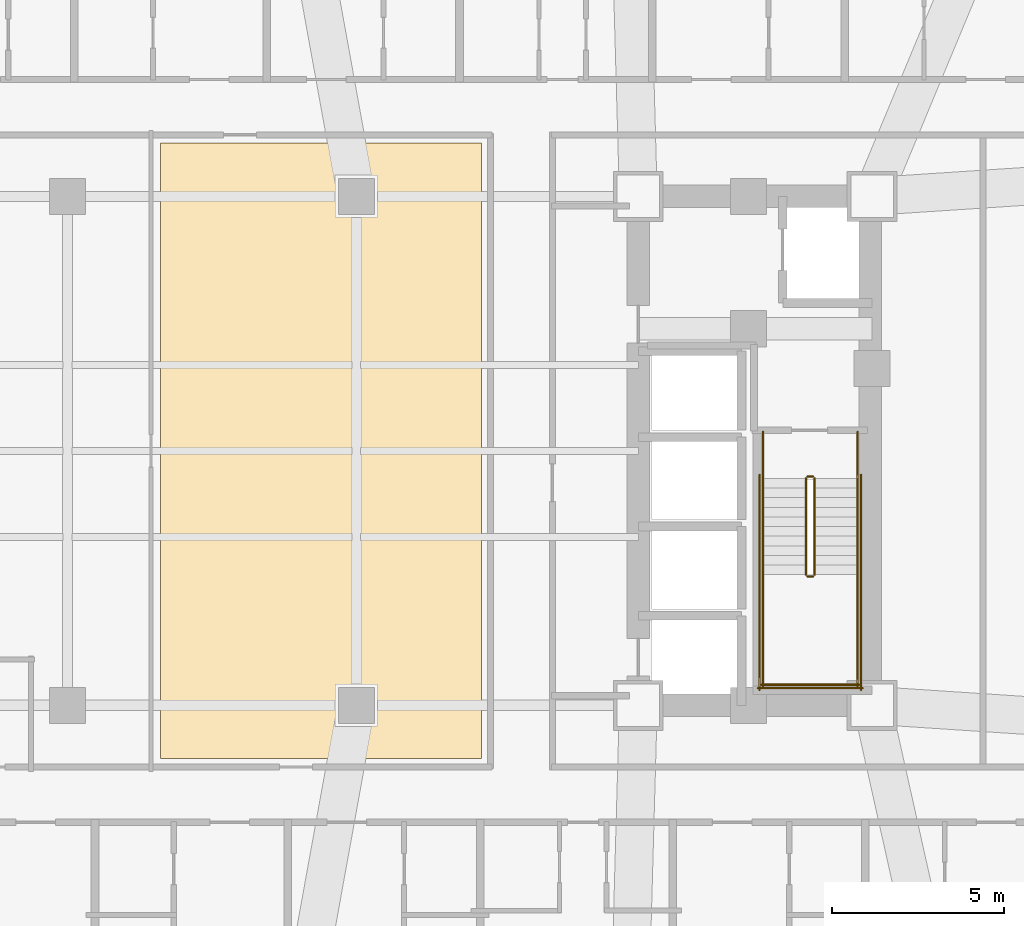
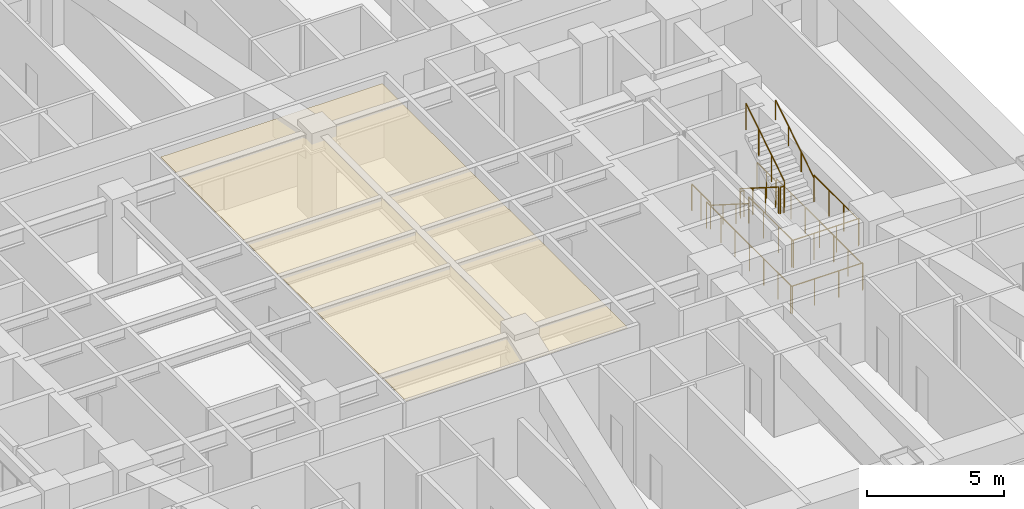
# One storey, part 12 of 12: 14 railings, 1 covering.
"""IFC4 building model written with IfcOpenShell, lengths in metres."""

from ifc_helpers import new_model, si_unit, direction, frame, origin, origin_2d, place, context, subcontext, project, spatial, polyline, circle, outline, extrude, material, layer, layer_set, type_object, element, save


model = new_model("IFC4")

# Units and contexts
model_context = context("Model", 3, precision=1e-05, world=origin(), true_north=direction((0.0, 1.0)))
body_context = subcontext(model_context, "Body", "Model", "MODEL_VIEW")
ifc_project = project(units=[si_unit("LENGTHUNIT", "METRE"), si_unit("AREAUNIT", "SQUARE_METRE"), si_unit("VOLUMEUNIT", "CUBIC_METRE"), si_unit("PLANEANGLEUNIT", "RADIAN"), si_unit("MASSUNIT", "GRAM", prefix="KILO")], contexts=[model_context])

# Site, building, storey
site_placement = place(None, origin())
site = spatial("IfcSite", under=ifc_project, at=site_placement, CompositionType="ELEMENT")
building_placement = place(site_placement, origin())
building = spatial("IfcBuilding", under=site, at=building_placement, Name="Voryun Gate Residences", CompositionType="ELEMENT")
storey_placement = place(building_placement, frame((0.0, 0.0, 29.89990234375)))
storey = spatial("IfcBuildingStorey", under=building, at=storey_placement, Name="L06", CompositionType="ELEMENT", Elevation=29.89990234375)

# Covering
ifc_material_1 = material(Name="Gypsum acoustic ceiling")
ifc_layer = layer(ifc_material_1, 0.02490234375, Name="COV_CEILING_ACOUSTIC")
ifc_layer_set = layer_set([ifc_layer], Name="Gypsum acoustic ceiling")
covering_type = type_object("IfcCoveringType", Name="COV_CEILING_ACOUSTIC", PredefinedType="CEILING", material=ifc_layer_set)
covering_placement = place(storey_placement, frame((0.0, 0.0, 3.400146484375)))
element("IfcCovering", 1, at=covering_placement, inside=storey, type_object=covering_type, Name="Acoustic ceiling CLG-L06-01", PredefinedType="CEILING", context=body_context, shape_type="SweptSolid", body=[
    extrude(outline(polyline([(-1.492919921875, 8.949951171875), (7.840087890625, 8.949951171875), (7.840087890625, -8.949951171875), (-1.492919921875, -8.949951171875), (-1.492919921875, 8.949951171875)])), origin(), (0.0, 0.0, 1.0), 0.02490234375),
])

# Railings
ifc_material_2 = material(Name="Painted steel", Category="steel")
railing_type_1 = type_object("IfcRailingType", Name="RAIL_STAIR_GUARD_1200", PredefinedType="GUARDRAIL", material=ifc_material_2)
railing_1_placement = place(storey_placement, frame((17.27490234375, -0.800048828125, 0.177490234375)))
element("IfcRailing", 2, at=railing_1_placement, inside=storey, type_object=railing_type_1, Name="L06 ST-E1 stair guard 1", PredefinedType="GUARDRAIL", context=body_context, shape_type="SweptSolid", body=[
    extrude(circle(Radius=0.02392578125, at=origin_2d()), frame((0.0, 0.0, 1.17578125), z_axis=(0.0, -0.844908973607, 0.534910110503), x_axis=(1.0, 0.0, 0.0)), (0.0, 0.0, 1.0), 3.31396484375),
    extrude(circle(Radius=0.02099609375, at=origin_2d()), origin(), (0.0, 0.0, 1.0), 1.15185546875),
    extrude(circle(Radius=0.02099609375, at=origin_2d()), frame((0.0, -0.933349609375, 0.5908203125)), (0.0, 0.0, 1.0), 1.15185546875),
    extrude(circle(Radius=0.02099609375, at=origin_2d()), frame((0.0, -1.86669921875, 1.181884765625)), (0.0, 0.0, 1.0), 1.15185546875),
    extrude(circle(Radius=0.02099609375, at=origin_2d()), frame((0.0, -2.800048828125, 1.772705078125)), (0.0, 0.0, 1.0), 1.15185546875),
])
railing_2_placement = place(storey_placement, frame((17.324951171875, -3.64990234375, 1.9501953125)))
element("IfcRailing", 3, at=railing_2_placement, inside=storey, type_object=railing_type_1, Name="L06 ST-E1 stair guard 2", PredefinedType="GUARDRAIL", context=body_context, shape_type="SweptSolid", body=[
    extrude(circle(Radius=0.02392578125, at=origin_2d()), frame((0.0, 0.0, 1.17578125), z_axis=(1.0, 0.0, 0.0), x_axis=(0.0, 1.0, 0.0)), (0.0, 0.0, 1.0), 0.150146484375),
    extrude(circle(Radius=0.02099609375, at=origin_2d()), origin(), (0.0, 0.0, 1.0), 1.15185546875),
    extrude(circle(Radius=0.02099609375, at=origin_2d()), frame((0.150146484375, 0.0, 0.0)), (0.0, 0.0, 1.0), 1.15185546875),
])
for number, where, name in (
    (4, (16.02490234375, -3.60009765625, 1.9501953125), "L06 ST-E1 stair guard 3"),
    (5, (18.77490234375, -3.60009765625, 1.9501953125), "L06 ST-E1 stair guard 4"),
):
    element("IfcRailing", number, at=place(storey_placement, frame(where)), inside=storey, type_object=railing_type_1, Name=name, PredefinedType="GUARDRAIL", context=body_context, shape_type="SweptSolid", body=[
        extrude(circle(Radius=0.02392578125, at=origin_2d()), frame((0.0, 0.0, 1.17578125), z_axis=(0.0, -1.0, 0.0), x_axis=(1.0, 0.0, 0.0)), (0.0, 0.0, 1.0), 3.25),
        extrude(circle(Radius=0.02099609375, at=origin_2d()), origin(), (0.0, 0.0, 1.0), 1.15185546875),
        extrude(circle(Radius=0.02099609375, at=origin_2d()), frame((0.0, -1.083251953125, 0.0)), (0.0, 0.0, 1.0), 1.15185546875),
        extrude(circle(Radius=0.02099609375, at=origin_2d()), frame((0.0, -2.166748046875, 0.0)), (0.0, 0.0, 1.0), 1.15185546875),
        extrude(circle(Radius=0.02099609375, at=origin_2d()), frame((0.0, -3.25, 0.0)), (0.0, 0.0, 1.0), 1.15185546875),
    ])
railing_3_placement = place(storey_placement, frame((15.97509765625, -6.800048828125, 1.9501953125)))
element("IfcRailing", 6, at=railing_3_placement, inside=storey, type_object=railing_type_1, Name="L06 ST-E1 stair guard 5", PredefinedType="GUARDRAIL", context=body_context, shape_type="SweptSolid", body=[
    extrude(circle(Radius=0.02392578125, at=origin_2d()), frame((0.0, 0.0, 1.17578125), z_axis=(1.0, 0.0, 0.0), x_axis=(0.0, 1.0, 0.0)), (0.0, 0.0, 1.0), 2.849853515625),
    extrude(circle(Radius=0.02099609375, at=origin_2d()), origin(), (0.0, 0.0, 1.0), 1.15185546875),
    extrude(circle(Radius=0.02099609375, at=origin_2d()), frame((0.949951171875, 0.0, 0.0)), (0.0, 0.0, 1.0), 1.15185546875),
    extrude(circle(Radius=0.02099609375, at=origin_2d()), frame((1.89990234375, 0.0, 0.0)), (0.0, 0.0, 1.0), 1.15185546875),
    extrude(circle(Radius=0.02099609375, at=origin_2d()), frame((2.849853515625, 0.0, 0.0)), (0.0, 0.0, 1.0), 1.15185546875),
])
railing_4_placement = place(storey_placement, frame((17.52490234375, -3.60009765625, 2.12744140625)))
element("IfcRailing", 7, at=railing_4_placement, inside=storey, type_object=railing_type_1, Name="L06 ST-E1 stair guard 6", PredefinedType="GUARDRAIL", context=body_context, shape_type="SweptSolid", body=[
    extrude(circle(Radius=0.02392578125, at=origin_2d()), frame((0.0, 0.0, 1.17578125), z_axis=(0.0, 0.844908973607, 0.534910110503), x_axis=(-1.0, 0.0, 0.0)), (0.0, 0.0, 1.0), 3.31396484375),
    extrude(circle(Radius=0.02099609375, at=origin_2d()), origin(), (0.0, 0.0, 1.0), 1.15185546875),
    extrude(circle(Radius=0.02099609375, at=origin_2d()), frame((0.0, 0.933349609375, 0.5908203125)), (0.0, 0.0, 1.0), 1.15185546875),
    extrude(circle(Radius=0.02099609375, at=origin_2d()), frame((0.0, 1.86669921875, 1.181884765625)), (0.0, 0.0, 1.0), 1.15185546875),
    extrude(circle(Radius=0.02099609375, at=origin_2d()), frame((0.0, 2.800048828125, 1.772705078125)), (0.0, 0.0, 1.0), 1.15185546875),
])
railing_5_placement = place(storey_placement, frame((17.324951171875, -0.75, 0.0)))
element("IfcRailing", 8, at=railing_5_placement, inside=storey, type_object=railing_type_1, Name="L06 ST-E1 stair guard 7", PredefinedType="GUARDRAIL", context=body_context, shape_type="SweptSolid", body=[
    extrude(circle(Radius=0.02392578125, at=origin_2d()), frame((0.0, 0.0, 1.17578125), z_axis=(1.0, 0.0, 0.0), x_axis=(0.0, 1.0, 0.0)), (0.0, 0.0, 1.0), 0.150146484375),
    extrude(circle(Radius=0.02099609375, at=origin_2d()), origin(), (0.0, 0.0, 1.0), 1.15185546875),
    extrude(circle(Radius=0.02099609375, at=origin_2d()), frame((0.150146484375, 0.0, 0.0)), (0.0, 0.0, 1.0), 1.15185546875),
])
for number, where, name in (
    (9, (16.02490234375, 0.550048828125, 0.0), "L06 ST-E1 stair guard 8"),
    (10, (18.77490234375, 0.550048828125, 0.0), "L06 ST-E1 stair guard 9"),
):
    element("IfcRailing", number, at=place(storey_placement, frame(where)), inside=storey, type_object=railing_type_1, Name=name, PredefinedType="GUARDRAIL", context=body_context, shape_type="SweptSolid", body=[
        extrude(circle(Radius=0.02392578125, at=origin_2d()), frame((0.0, 0.0, 1.17578125), z_axis=(0.0, -1.0, 0.0), x_axis=(1.0, 0.0, 0.0)), (0.0, 0.0, 1.0), 1.35009765625),
        extrude(circle(Radius=0.02099609375, at=origin_2d()), origin(), (0.0, 0.0, 1.0), 1.15185546875),
        extrude(circle(Radius=0.02099609375, at=origin_2d()), frame((0.0, -0.675048828125, 0.0)), (0.0, 0.0, 1.0), 1.15185546875),
        extrude(circle(Radius=0.02099609375, at=origin_2d()), frame((0.0, -1.35009765625, 0.0)), (0.0, 0.0, 1.0), 1.15185546875),
    ])
for number, where, name in (
    (11, (15.925048828125, -0.699951171875, 0.0), "L06 ST-E1 stair guard 10"),
    (12, (18.875, -0.699951171875, 0.0), "L06 ST-E1 stair guard 11"),
):
    element("IfcRailing", number, at=place(storey_placement, frame(where)), inside=storey, type_object=railing_type_1, Name=name, PredefinedType="GUARDRAIL", context=body_context, shape_type="SweptSolid", body=[
        extrude(circle(Radius=0.02392578125, at=origin_2d()), frame((0.0, 0.0, 1.17578125), z_axis=(0.0, -1.0, 0.0), x_axis=(1.0, 0.0, 0.0)), (0.0, 0.0, 1.0), 6.25),
        extrude(circle(Radius=0.02099609375, at=origin_2d()), origin(), (0.0, 0.0, 1.0), 1.15185546875),
        extrude(circle(Radius=0.02099609375, at=origin_2d()), frame((0.0, -1.041748046875, 0.0)), (0.0, 0.0, 1.0), 1.15185546875),
        extrude(circle(Radius=0.02099609375, at=origin_2d()), frame((0.0, -2.083251953125, 0.0)), (0.0, 0.0, 1.0), 1.15185546875),
        extrude(circle(Radius=0.02099609375, at=origin_2d()), frame((0.0, -3.125, 0.0)), (0.0, 0.0, 1.0), 1.15185546875),
        extrude(circle(Radius=0.02099609375, at=origin_2d()), frame((0.0, -4.166748046875, 0.0)), (0.0, 0.0, 1.0), 1.15185546875),
        extrude(circle(Radius=0.02099609375, at=origin_2d()), frame((0.0, -5.208251953125, 0.0)), (0.0, 0.0, 1.0), 1.15185546875),
        extrude(circle(Radius=0.02099609375, at=origin_2d()), frame((0.0, -6.25, 0.0)), (0.0, 0.0, 1.0), 1.15185546875),
    ])
railing_6_placement = place(storey_placement, frame((15.875, -6.89990234375, 0.0)))
element("IfcRailing", 13, at=railing_6_placement, inside=storey, type_object=railing_type_1, Name="L06 ST-E1 stair guard 12", PredefinedType="GUARDRAIL", context=body_context, shape_type="SweptSolid", body=[
    extrude(circle(Radius=0.02392578125, at=origin_2d()), frame((0.0, 0.0, 1.17578125), z_axis=(1.0, 0.0, 0.0), x_axis=(0.0, 1.0, 0.0)), (0.0, 0.0, 1.0), 3.050048828125),
    extrude(circle(Radius=0.02099609375, at=origin_2d()), origin(), (0.0, 0.0, 1.0), 1.15185546875),
    extrude(circle(Radius=0.02099609375, at=origin_2d()), frame((1.0166015625, 0.0, 0.0)), (0.0, 0.0, 1.0), 1.15185546875),
    extrude(circle(Radius=0.02099609375, at=origin_2d()), frame((2.033447265625, 0.0, 0.0)), (0.0, 0.0, 1.0), 1.15185546875),
    extrude(circle(Radius=0.02099609375, at=origin_2d()), frame((3.050048828125, 0.0, 0.0)), (0.0, 0.0, 1.0), 1.15185546875),
])
ifc_material_3 = material(Name="Painted steel", Category="steel")
railing_type_2 = type_object("IfcRailingType", Name="RAIL_STAIR_HANDRAIL_900", PredefinedType="HANDRAIL", material=ifc_material_3)
railing_7_placement = place(storey_placement, frame((16.02490234375, -0.800048828125, 0.177490234375)))
element("IfcRailing", 14, at=railing_7_placement, inside=storey, type_object=railing_type_2, Name="L06 ST-E1 stair handrail 1", PredefinedType="HANDRAIL", context=body_context, shape_type="SweptSolid", body=[
    extrude(circle(Radius=0.02392578125, at=origin_2d()), frame((0.0, 0.0, 0.8759765625), z_axis=(0.0, -0.844908973607, 0.534910110503), x_axis=(1.0, 0.0, 0.0)), (0.0, 0.0, 1.0), 3.31396484375),
    extrude(circle(Radius=0.02099609375, at=origin_2d()), origin(), (0.0, 0.0, 1.0), 0.851806640625),
    extrude(circle(Radius=0.02099609375, at=origin_2d()), frame((0.0, -0.933349609375, 0.5908203125)), (0.0, 0.0, 1.0), 0.851806640625),
    extrude(circle(Radius=0.02099609375, at=origin_2d()), frame((0.0, -1.86669921875, 1.181884765625)), (0.0, 0.0, 1.0), 0.851806640625),
    extrude(circle(Radius=0.02099609375, at=origin_2d()), frame((0.0, -2.800048828125, 1.772705078125)), (0.0, 0.0, 1.0), 0.851806640625),
])
railing_8_placement = place(storey_placement, frame((18.77490234375, -3.60009765625, 2.12744140625)))
element("IfcRailing", 15, at=railing_8_placement, inside=storey, type_object=railing_type_2, Name="L06 ST-E1 stair handrail 2", PredefinedType="HANDRAIL", context=body_context, shape_type="SweptSolid", body=[
    extrude(circle(Radius=0.02392578125, at=origin_2d()), frame((0.0, 0.0, 0.8759765625), z_axis=(0.0, 0.844908973607, 0.534910110503), x_axis=(-1.0, 0.0, 0.0)), (0.0, 0.0, 1.0), 3.31396484375),
    extrude(circle(Radius=0.02099609375, at=origin_2d()), origin(), (0.0, 0.0, 1.0), 0.851806640625),
    extrude(circle(Radius=0.02099609375, at=origin_2d()), frame((0.0, 0.933349609375, 0.5908203125)), (0.0, 0.0, 1.0), 0.851806640625),
    extrude(circle(Radius=0.02099609375, at=origin_2d()), frame((0.0, 1.86669921875, 1.181884765625)), (0.0, 0.0, 1.0), 0.851806640625),
    extrude(circle(Radius=0.02099609375, at=origin_2d()), frame((0.0, 2.800048828125, 1.772705078125)), (0.0, 0.0, 1.0), 0.851806640625),
])

save(model, "model.ifc")
